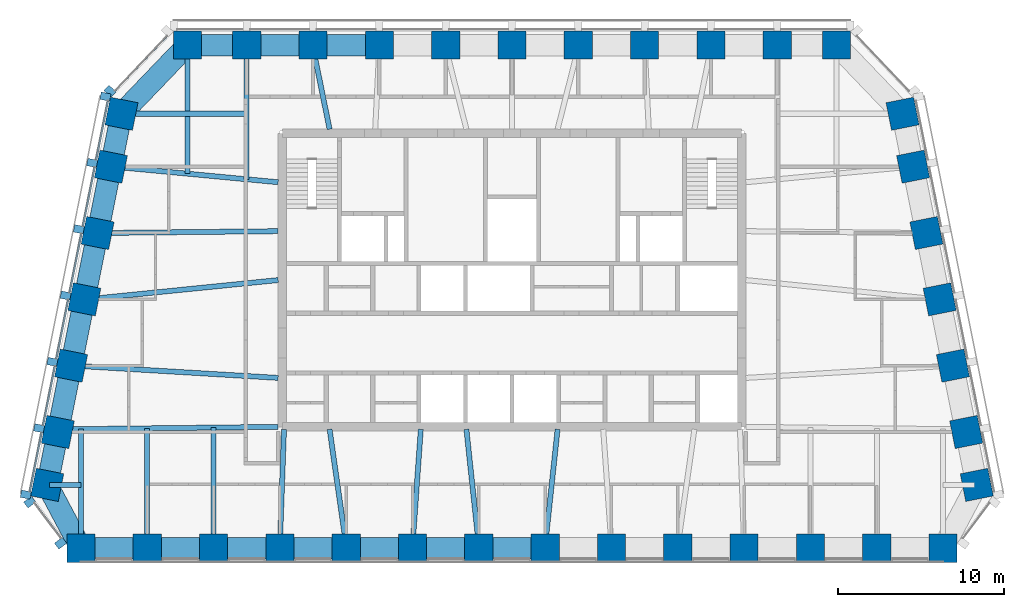
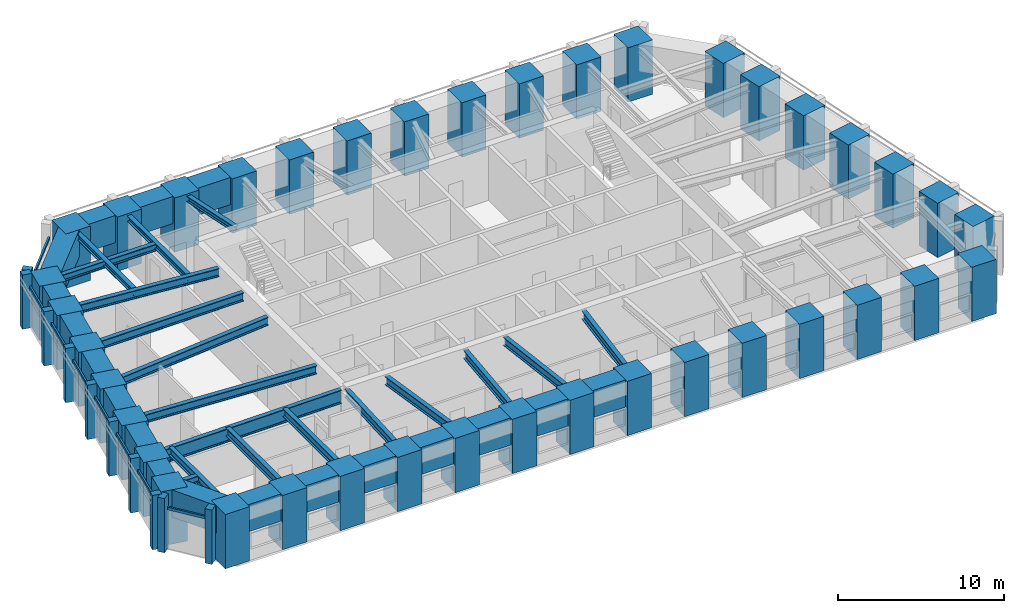
# One storey, part 1 of 10: 39 columns, 36 beams, 18 members, 3 elements without a shape of their own.
"""IFC4 building model written with IfcOpenShell, lengths in metres."""

from ifc_helpers import new_model, si_unit, direction, frame, origin, origin_2d, place, context, subcontext, project, spatial, rectangle, i_section, extrude, material, material_profile, profile_set, type_object, element, aggregate, save


model = new_model("IFC4")

# Units and contexts
model_context = context("Model", 3, precision=1e-05, world=origin(), true_north=direction((0.0, 1.0)))
body_context = subcontext(model_context, "Body", "Model", "MODEL_VIEW")
ifc_project = project(units=[si_unit("LENGTHUNIT", "METRE"), si_unit("AREAUNIT", "SQUARE_METRE"), si_unit("VOLUMEUNIT", "CUBIC_METRE"), si_unit("PLANEANGLEUNIT", "RADIAN"), si_unit("MASSUNIT", "GRAM", prefix="KILO")], contexts=[model_context])

# Site, building, storey
site_placement = place(None, origin())
site = spatial("IfcSite", under=ifc_project, at=site_placement, CompositionType="ELEMENT")
building_placement = place(site_placement, origin())
building = spatial("IfcBuilding", under=site, at=building_placement, Name="Isbrekke Arena Tower", CompositionType="ELEMENT")
storey_placement = place(building_placement, frame((0.0, 0.0, 300.0)))
storey = spatial("IfcBuildingStorey", under=building, at=storey_placement, Name="L70", CompositionType="ELEMENT", Elevation=300.0)

# Columns
ifc_material_1 = material(Name="Concrete B55 (C55/67)", Category="concrete")
ifc_material_profile_1 = material_profile(ifc_material_1, rectangle(XDim=1.699951171875, YDim=1.699951171875, at=origin_2d()), Name="RC 1700x1700")
ifc_profile_set_1 = profile_set([ifc_material_profile_1], Name="Concrete B55 (C55/67)")
column_type = type_object("IfcColumnType", Name="C5 RC 1700 x 1700", PredefinedType="COLUMN", material=ifc_profile_set_1)
for number, where, z_axis, x_axis, name in (
    (1, (-26.0, -1.175048828125, 0.0), (0.0, 0.0, 1.0), (1.0, 0.0, 0.0), "C5 S01"),
    (2, (-22.0, -1.175048828125, 0.0), (0.0, 0.0, 1.0), (1.0, 0.0, 0.0), "C5 S02"),
    (3, (-18.0, -1.175048828125, 0.0), (0.0, 0.0, 1.0), (1.0, 0.0, 0.0), "C5 S03"),
    (4, (-14.0, -1.175048828125, 0.0), (0.0, 0.0, 1.0), (1.0, 0.0, 0.0), "C5 S04"),
    (5, (-10.0, -1.175048828125, 0.0), (0.0, 0.0, 1.0), (1.0, 0.0, 0.0), "C5 S05"),
    (6, (-6.0, -1.175048828125, 0.0), (0.0, 0.0, 1.0), (1.0, 0.0, 0.0), "C5 S06"),
    (7, (-2.0, -1.175048828125, 0.0), (0.0, 0.0, 1.0), (1.0, 0.0, 0.0), "C5 S07"),
    (8, (2.0, -1.175048828125, 0.0), (0.0, 0.0, 1.0), (1.0, 0.0, 0.0), "C5 S08"),
    (9, (6.0, -1.175048828125, 0.0), (0.0, 0.0, 1.0), (1.0, 0.0, 0.0), "C5 S09"),
    (10, (10.0, -1.175048828125, 0.0), (0.0, 0.0, 1.0), (1.0, 0.0, 0.0), "C5 S10"),
    (11, (14.0, -1.175048828125, 0.0), (0.0, 0.0, 1.0), (1.0, 0.0, 0.0), "C5 S11"),
    (12, (18.0, -1.175048828125, 0.0), (0.0, 0.0, 1.0), (1.0, 0.0, 0.0), "C5 S12"),
    (13, (22.0, -1.175048828125, 0.0), (0.0, 0.0, 1.0), (1.0, 0.0, 0.0), "C5 S13"),
    (14, (26.0, -1.175048828125, 0.0), (0.0, 0.0, 1.0), (1.0, 0.0, 0.0), "C5 S14"),
    (15, (28.029296875, 2.647216796875, 0.0), (0.0, 0.0, 1.0), (-0.196116135138, 0.980580675691, 0.0), "C5 E01"),
    (16, (27.39111328125, 5.838134765625, 0.0), (0.0, 0.0, 1.0), (-0.196116135138, 0.980580675691, 0.0), "C5 E02"),
    (17, (26.591064453125, 9.838134765625, 0.0), (0.0, 0.0, 1.0), (-0.196116135138, 0.980580675691, 0.0), "C5 E03"),
    (18, (25.791015625, 13.838134765625, 0.0), (0.0, 0.0, 1.0), (-0.196116135138, 0.980580675691, 0.0), "C5 E04"),
    (19, (24.990966796875, 17.838134765625, 0.0), (0.0, 0.0, 1.0), (-0.196116135138, 0.980580675691, 0.0), "C5 E05"),
    (20, (24.19091796875, 21.838134765625, 0.0), (0.0, 0.0, 1.0), (-0.196116135138, 0.980580675691, 0.0), "C5 E06"),
    (21, (23.552734375, 25.029296875, 0.0), (0.0, 0.0, 1.0), (-0.196116135138, 0.980580675691, 0.0), "C5 E07"),
    (22, (19.574951171875, 29.175048828125, 0.0), (0.0, 0.0, 1.0), (-1.0, 0.0, 0.0), "C5 N01"),
    (23, (16.0, 29.175048828125, 0.0), (0.0, 0.0, 1.0), (-1.0, 0.0, 0.0), "C5 N02"),
    (24, (12.0, 29.175048828125, 0.0), (0.0, 0.0, 1.0), (-1.0, 0.0, 0.0), "C5 N03"),
    (25, (8.0, 29.175048828125, 0.0), (0.0, 0.0, 1.0), (-1.0, 0.0, 0.0), "C5 N04"),
    (26, (4.0, 29.175048828125, 0.0), (0.0, 0.0, 1.0), (-1.0, 0.0, 0.0), "C5 N05"),
    (27, (0.0, 29.175048828125, 0.0), (0.0, 0.0, 1.0), (-1.0, 0.0, 0.0), "C5 N06"),
    (28, (-4.0, 29.175048828125, 0.0), (0.0, 0.0, 1.0), (-1.0, 0.0, 0.0), "C5 N07"),
    (29, (-8.0, 29.175048828125, 0.0), (0.0, 0.0, 1.0), (-1.0, 0.0, 0.0), "C5 N08"),
    (30, (-12.0, 29.175048828125, 0.0), (0.0, 0.0, 1.0), (-1.0, 0.0, 0.0), "C5 N09"),
    (31, (-16.0, 29.175048828125, 0.0), (0.0, 0.0, 1.0), (-1.0, 0.0, 0.0), "C5 N10"),
    (32, (-19.574951171875, 29.175048828125, 0.0), (0.0, 0.0, 1.0), (-1.0, 0.0, 0.0), "C5 N11"),
    (33, (-23.552734375, 25.029296875, 0.0), (0.0, 0.0, 1.0), (-0.196116135138, -0.980580675691, 0.0), "C5 W01"),
    (34, (-24.19091796875, 21.838134765625, 0.0), (0.0, 0.0, 1.0), (-0.196116135138, -0.980580675691, 0.0), "C5 W02"),
    (35, (-24.990966796875, 17.838134765625, 0.0), (0.0, 0.0, 1.0), (-0.196116135138, -0.980580675691, 0.0), "C5 W03"),
    (36, (-25.791015625, 13.838134765625, 0.0), (0.0, 0.0, 1.0), (-0.196116135138, -0.980580675691, 0.0), "C5 W04"),
    (37, (-26.591064453125, 9.838134765625, 0.0), (0.0, 0.0, 1.0), (-0.196116135138, -0.980580675691, 0.0), "C5 W05"),
    (38, (-27.39111328125, 5.838134765625, 0.0), (0.0, 0.0, 1.0), (-0.196116135138, -0.980580675691, 0.0), "C5 W06"),
    (39, (-28.029296875, 2.647216796875, 0.0), (0.0, 0.0, 1.0), (-0.196116135138, -0.980580675691, 0.0), "C5 W07"),
):
    element("IfcColumn", number, at=place(storey_placement, frame(where, z_axis=z_axis, x_axis=x_axis)), inside=storey, type_object=column_type, Name=name, PredefinedType="COLUMN", context=body_context, shape_type="SweptSolid", body=[
        extrude(rectangle(XDim=1.699951171875, YDim=1.699951171875, at=origin_2d()), origin(), (0.0, 0.0, 1.0), 4.0),
    ])

# Beams
ifc_material_2 = material(Name="Steel S355", Category="steel")
ifc_material_profile_2 = material_profile(ifc_material_2, i_section(OverallWidth=0.304931640625, OverallDepth=0.6201171875, WebThickness=0.02099609375, FlangeThickness=0.0400390625, FilletRadius=0.027099609375, at=origin_2d()), Name="HEM 600")
ifc_profile_set_2 = profile_set([ifc_material_profile_2], Name="Steel S355")
beam_type_1 = type_object("IfcBeamType", Name="B4 HEM 600", PredefinedType="BEAM", material=ifc_profile_set_2)
beam_1_placement = place(storey_placement, frame((-26.0, -1.02490234375, 3.5400390625), z_axis=(0.0, 1.0, 0.0), x_axis=(-1.0, 0.0, 0.0)))
element("IfcBeam", 40, at=beam_1_placement, inside=storey, type_object=beam_type_1, Name="B4 beam C-S01 L70", PredefinedType="BEAM", context=body_context, shape_type="SweptSolid", body=[
    extrude(i_section(OverallWidth=0.304931640625, OverallDepth=0.6201171875, WebThickness=0.02099609375, FlangeThickness=0.0400390625, FilletRadius=0.027099609375, at=origin_2d()), origin(), (0.0, 0.0, 1.0), 7.04052734375),
])
beam_2_placement = place(storey_placement, frame((-22.0, -1.02490234375, 3.5400390625), z_axis=(0.0, 1.0, 0.0), x_axis=(-1.0, 0.0, 0.0)))
element("IfcBeam", 41, at=beam_2_placement, inside=storey, type_object=beam_type_1, Name="B4 beam C-S02 L70", PredefinedType="BEAM", context=body_context, shape_type="SweptSolid", body=[
    extrude(i_section(OverallWidth=0.304931640625, OverallDepth=0.6201171875, WebThickness=0.02099609375, FlangeThickness=0.0400390625, FilletRadius=0.027099609375, at=origin_2d()), origin(), (0.0, 0.0, 1.0), 7.085693359375),
])
beam_3_placement = place(storey_placement, frame((-18.0, -1.02490234375, 3.5400390625), z_axis=(0.0, 1.0, 0.0), x_axis=(-1.0, 0.0, 0.0)))
element("IfcBeam", 42, at=beam_3_placement, inside=storey, type_object=beam_type_1, Name="B4 beam C-S03 L70", PredefinedType="BEAM", context=body_context, shape_type="SweptSolid", body=[
    extrude(i_section(OverallWidth=0.304931640625, OverallDepth=0.6201171875, WebThickness=0.02099609375, FlangeThickness=0.0400390625, FilletRadius=0.027099609375, at=origin_2d()), origin(), (0.0, 0.0, 1.0), 7.130859375),
])
beam_4_placement = place(storey_placement, frame((-13.999755859375, -1.01953125, 3.5400390625), z_axis=(0.035557633654, 0.999367627397, 0.0), x_axis=(-0.999367627397, 0.035557633654, 0.0)))
element("IfcBeam", 43, at=beam_4_placement, inside=storey, type_object=beam_type_1, Name="B4 beam C-S04 L70", PredefinedType="BEAM", context=body_context, shape_type="SweptSolid", body=[
    extrude(i_section(OverallWidth=0.304931640625, OverallDepth=0.6201171875, WebThickness=0.02099609375, FlangeThickness=0.0400390625, FilletRadius=0.027099609375, at=origin_2d()), origin(), (0.0, 0.0, 1.0), 7.02392578125),
])
beam_5_placement = place(storey_placement, frame((-10.0029296875, -1.003662109375, 3.5400390625), z_axis=(-0.140943016954, 0.990017709928, 0.0), x_axis=(-0.990017709928, -0.140943016954, 0.0)))
element("IfcBeam", 44, at=beam_5_placement, inside=storey, type_object=beam_type_1, Name="B4 beam C-S05 L70", PredefinedType="BEAM", context=body_context, shape_type="SweptSolid", body=[
    extrude(i_section(OverallWidth=0.304931640625, OverallDepth=0.6201171875, WebThickness=0.02099609375, FlangeThickness=0.0400390625, FilletRadius=0.027099609375, at=origin_2d()), origin(), (0.0, 0.0, 1.0), 7.07421875),
])
beam_6_placement = place(storey_placement, frame((-5.999267578125, -1.01416015625, 3.5400390625), z_axis=(0.071000313941, 0.997476293162, 0.0), x_axis=(-0.997476293162, 0.071000313941, 0.0)))
element("IfcBeam", 45, at=beam_6_placement, inside=storey, type_object=beam_type_1, Name="B4 beam C-S06 L70", PredefinedType="BEAM", context=body_context, shape_type="SweptSolid", body=[
    extrude(i_section(OverallWidth=0.304931640625, OverallDepth=0.6201171875, WebThickness=0.02099609375, FlangeThickness=0.0400390625, FilletRadius=0.027099609375, at=origin_2d()), origin(), (0.0, 0.0, 1.0), 7.031982421875),
])
for number, where, z_axis, x_axis, name in (
    (46, (-2.001708984375, -1.0087890625, 3.5400390625), (-0.106161329105, 0.994348918742, 0.0), (-0.994348918742, -0.106161329105, 0.0), "B4 beam C-S07 L70"),
    (47, (2.001708984375, -1.0087890625, 3.5400390625), (0.106161329105, 0.994348918742, 0.0), (-0.994348918742, 0.106161329105, 0.0), "B4 beam C-S08 L70"),
):
    element("IfcBeam", number, at=place(storey_placement, frame(where, z_axis=z_axis, x_axis=x_axis)), inside=storey, type_object=beam_type_1, Name=name, PredefinedType="BEAM", context=body_context, shape_type="SweptSolid", body=[
        extrude(i_section(OverallWidth=0.304931640625, OverallDepth=0.6201171875, WebThickness=0.02099609375, FlangeThickness=0.0400390625, FilletRadius=0.027099609375, at=origin_2d()), origin(), (0.0, 0.0, 1.0), 7.048583984375),
    ])
beam_7_placement = place(storey_placement, frame((-24.02685546875, 21.8369140625, 3.5400390625), z_axis=(0.995574576627, -0.093974796485, 0.0), x_axis=(0.093974796485, 0.995574576627, 0.0)))
element("IfcBeam", 48, at=beam_7_placement, inside=storey, type_object=beam_type_1, Name="B4 beam E-W02 L70", PredefinedType="BEAM", context=body_context, shape_type="SweptSolid", body=[
    extrude(i_section(OverallWidth=0.304931640625, OverallDepth=0.6201171875, WebThickness=0.02099609375, FlangeThickness=0.0400390625, FilletRadius=0.027099609375, at=origin_2d()), origin(), (0.0, 0.0, 1.0), 9.970947265625),
])
beam_8_placement = place(storey_placement, frame((-24.83935546875, 17.838134765625, 3.5400390625), z_axis=(0.999945800258, 0.010411366203, 0.0), x_axis=(-0.010411366203, 0.999945800258, 0.0)))
element("IfcBeam", 49, at=beam_8_placement, inside=storey, type_object=beam_type_1, Name="B4 beam E-W03 L70", PredefinedType="BEAM", context=body_context, shape_type="SweptSolid", body=[
    extrude(i_section(OverallWidth=0.304931640625, OverallDepth=0.6201171875, WebThickness=0.02099609375, FlangeThickness=0.0400390625, FilletRadius=0.027099609375, at=origin_2d()), origin(), (0.0, 0.0, 1.0), 10.73974609375),
])
beam_9_placement = place(storey_placement, frame((-25.625732421875, 13.83984375, 3.5400390625), z_axis=(0.994972081505, 0.100152668587, 0.0), x_axis=(-0.100152668587, 0.994972081505, 0.0)))
element("IfcBeam", 50, at=beam_9_placement, inside=storey, type_object=beam_type_1, Name="B4 beam E-W04 L70", PredefinedType="BEAM", context=body_context, shape_type="SweptSolid", body=[
    extrude(i_section(OverallWidth=0.304931640625, OverallDepth=0.6201171875, WebThickness=0.02099609375, FlangeThickness=0.0400390625, FilletRadius=0.027099609375, at=origin_2d()), origin(), (0.0, 0.0, 1.0), 11.583984375),
])
beam_10_placement = place(storey_placement, frame((-26.431884765625, 9.837646484375, 3.5400390625), z_axis=(0.998216240514, -0.059702070095, 0.0), x_axis=(0.059702070095, 0.998216240514, 0.0)))
element("IfcBeam", 51, at=beam_10_placement, inside=storey, type_object=beam_type_1, Name="B4 beam E-W05 L70", PredefinedType="BEAM", context=body_context, shape_type="SweptSolid", body=[
    extrude(i_section(OverallWidth=0.304931640625, OverallDepth=0.6201171875, WebThickness=0.02099609375, FlangeThickness=0.0400390625, FilletRadius=0.027099609375, at=origin_2d()), origin(), (0.0, 0.0, 1.0), 12.353759765625),
])
ifc_material_3 = material(Name="Steel S355", Category="steel")
ifc_material_profile_3 = material_profile(ifc_material_3, i_section(OverallWidth=0.305908203125, OverallDepth=0.52392578125, WebThickness=0.02099609375, FlangeThickness=0.0400390625, FilletRadius=0.027099609375, at=origin_2d()), Name="HEM 500")
ifc_profile_set_3 = profile_set([ifc_material_profile_3], Name="Steel S355")
beam_type_2 = type_object("IfcBeamType", Name="B5 HEM 500", PredefinedType="BEAM", material=ifc_profile_set_3)
beam_11_placement = place(storey_placement, frame((-27.879150390625, 2.647216796875, 3.587890625), z_axis=(1.0, 0.0, 0.0), x_axis=(0.0, 1.0, 0.0)))
element("IfcBeam", 52, at=beam_11_placement, inside=storey, type_object=beam_type_2, Name="B5 beam E-W07 L70", PredefinedType="BEAM", context=body_context, shape_type="SweptSolid", body=[
    extrude(i_section(OverallWidth=0.305908203125, OverallDepth=0.52392578125, WebThickness=0.02099609375, FlangeThickness=0.0400390625, FilletRadius=0.027099609375, at=origin_2d()), origin(), (0.0, 0.0, 1.0), 1.879150390625),
])
beam_12_placement = place(storey_placement, frame((-23.40283203125, 25.029296875, 3.587890625), z_axis=(1.0, 0.0, 0.0), x_axis=(0.0, 1.0, 0.0)))
element("IfcBeam", 53, at=beam_12_placement, inside=storey, type_object=beam_type_2, Name="B5 beam E-W01 L70", PredefinedType="BEAM", context=body_context, shape_type="SweptSolid", body=[
    extrude(i_section(OverallWidth=0.305908203125, OverallDepth=0.52392578125, WebThickness=0.02099609375, FlangeThickness=0.0400390625, FilletRadius=0.027099609375, at=origin_2d()), origin(), (0.0, 0.0, 1.0), 7.40283203125),
])
ifc_material_4 = material(Name="Steel S355", Category="steel")
ifc_material_profile_4 = material_profile(ifc_material_4, i_section(OverallWidth=0.306884765625, OverallDepth=0.431884765625, WebThickness=0.02099609375, FlangeThickness=0.0400390625, FilletRadius=0.027099609375, at=origin_2d()), Name="HEM 400")
ifc_profile_set_4 = profile_set([ifc_material_profile_4], Name="Steel S355")
beam_type_3 = type_object("IfcBeamType", Name="B6 HEM 400", PredefinedType="BEAM", material=ifc_profile_set_4)
beam_13_placement = place(storey_placement, frame((-16.0, 29.02490234375, 3.634033203125), z_axis=(0.0, -1.0, 0.0), x_axis=(1.0, 0.0, 0.0)))
element("IfcBeam", 54, at=beam_13_placement, inside=storey, type_object=beam_type_3, Name="B6 beam N-N10 L70", PredefinedType="BEAM", context=body_context, shape_type="SweptSolid", body=[
    extrude(i_section(OverallWidth=0.306884765625, OverallDepth=0.431884765625, WebThickness=0.02099609375, FlangeThickness=0.0400390625, FilletRadius=0.027099609375, at=origin_2d()), origin(), (0.0, 0.0, 1.0), 7.945556640625),
])
beam_14_placement = place(storey_placement, frame((-19.574951171875, 29.02490234375, 3.634033203125), z_axis=(0.0, -1.0, 0.0), x_axis=(1.0, 0.0, 0.0)))
element("IfcBeam", 55, at=beam_14_placement, inside=storey, type_object=beam_type_3, Name="B6 beam N-N11 L70", PredefinedType="BEAM", context=body_context, shape_type="SweptSolid", body=[
    extrude(i_section(OverallWidth=0.306884765625, OverallDepth=0.431884765625, WebThickness=0.02099609375, FlangeThickness=0.0400390625, FilletRadius=0.027099609375, at=origin_2d()), origin(), (0.0, 0.0, 1.0), 7.608154296875),
])
beam_15_placement = place(storey_placement, frame((-11.993896484375, 28.9951171875, 3.634033203125), z_axis=(0.198982177337, -0.980003108721, 0.0), x_axis=(0.980003108721, 0.198982177337, 0.0)))
element("IfcBeam", 56, at=beam_15_placement, inside=storey, type_object=beam_type_3, Name="B6 beam N-N09 L70", PredefinedType="BEAM", context=body_context, shape_type="SweptSolid", body=[
    extrude(i_section(OverallWidth=0.306884765625, OverallDepth=0.431884765625, WebThickness=0.02099609375, FlangeThickness=0.0400390625, FilletRadius=0.027099609375, at=origin_2d()), origin(), (0.0, 0.0, 1.0), 4.994873046875),
])

# Curtain wall, member
ifc_material_5 = material(Name="Glazed aluminium curtain wall", Category="aluminium")
curtain_wall_type = type_object("IfcCurtainWallType", Name="CWT TOWER CURTAIN WALL TOP ZONE", PredefinedType="USERDEFINED", material=ifc_material_5)
curtain_wall_1_placement = place(storey_placement, origin())
curtain_wall_1 = element("IfcCurtainWall", 57, at=curtain_wall_1_placement, inside=storey, type_object=curtain_wall_type, Name="CWT curtain wall L70-NW", ObjectType="TOWER CURTAIN WALL TOP ZONE", PredefinedType="USERDEFINED")
ifc_material_6 = material(Name="Copper-clad aluminium mullion", Category="aluminium")
ifc_material_profile_5 = material_profile(ifc_material_6, rectangle(XDim=0.449951171875, YDim=0.60009765625, at=origin_2d()), Name="PIER 450X600")
ifc_profile_set_5 = profile_set([ifc_material_profile_5], Name="Copper-clad aluminium mullion")
member_type_1 = type_object("IfcMemberType", Name="CWT-M PIER MULLION 450 x 600", PredefinedType="MULLION", material=ifc_profile_set_5)
member_1_placement = place(storey_placement, frame((-24.243896484375, 26.389404296875, 0.0), z_axis=(0.0, 0.0, 1.0), x_axis=(-0.68874946192, -0.72499943359, 0.0)))
member_1 = element("IfcMember", 58, at=member_1_placement, type_object=member_type_1, Name="CWT-M mullion 2", PredefinedType="MULLION", context=body_context, shape_type="SweptSolid", body=[
    extrude(rectangle(XDim=0.449951171875, YDim=0.60009765625, at=origin_2d()), origin(), (0.0, 0.0, 1.0), 4.0),
])

# Curtain wall, members
curtain_wall_2_placement = place(storey_placement, origin())
curtain_wall_2 = element("IfcCurtainWall", 59, at=curtain_wall_2_placement, inside=storey, type_object=curtain_wall_type, Name="CWT curtain wall L70-W", ObjectType="TOWER CURTAIN WALL TOP ZONE", PredefinedType="USERDEFINED")
member_2_placement = place(storey_placement, frame((-24.518798828125, 26.063720703125, 0.0), z_axis=(0.0, 0.0, 1.0), x_axis=(-0.196116135138, -0.980580675691, 0.0)))
member_2 = element("IfcMember", 60, at=member_2_placement, type_object=member_type_1, Name="CWT-M mullion 1", PredefinedType="MULLION", context=body_context, shape_type="SweptSolid", body=[
    extrude(rectangle(XDim=0.449951171875, YDim=0.60009765625, at=origin_2d()), origin(), (0.0, 0.0, 1.0), 4.0),
])
member_3_placement = place(storey_placement, frame((-25.318603515625, 22.063720703125, 0.0), z_axis=(0.0, 0.0, 1.0), x_axis=(-0.196116135138, -0.980580675691, 0.0)))
member_3 = element("IfcMember", 61, at=member_3_placement, type_object=member_type_1, Name="CWT-M mullion 2", PredefinedType="MULLION", context=body_context, shape_type="SweptSolid", body=[
    extrude(rectangle(XDim=0.449951171875, YDim=0.60009765625, at=origin_2d()), origin(), (0.0, 0.0, 1.0), 4.0),
])
member_4_placement = place(storey_placement, frame((-26.11865234375, 18.063720703125, 0.0), z_axis=(0.0, 0.0, 1.0), x_axis=(-0.196116135138, -0.980580675691, 0.0)))
member_4 = element("IfcMember", 62, at=member_4_placement, type_object=member_type_1, Name="CWT-M mullion 3", PredefinedType="MULLION", context=body_context, shape_type="SweptSolid", body=[
    extrude(rectangle(XDim=0.449951171875, YDim=0.60009765625, at=origin_2d()), origin(), (0.0, 0.0, 1.0), 4.0),
])
member_5_placement = place(storey_placement, frame((-26.918701171875, 14.063720703125, 0.0), z_axis=(0.0, 0.0, 1.0), x_axis=(-0.196116135138, -0.980580675691, 0.0)))
member_5 = element("IfcMember", 63, at=member_5_placement, type_object=member_type_1, Name="CWT-M mullion 4", PredefinedType="MULLION", context=body_context, shape_type="SweptSolid", body=[
    extrude(rectangle(XDim=0.449951171875, YDim=0.60009765625, at=origin_2d()), origin(), (0.0, 0.0, 1.0), 4.0),
])
member_6_placement = place(storey_placement, frame((-27.71875, 10.063720703125, 0.0), z_axis=(0.0, 0.0, 1.0), x_axis=(-0.196116135138, -0.980580675691, 0.0)))
member_6 = element("IfcMember", 64, at=member_6_placement, type_object=member_type_1, Name="CWT-M mullion 5", PredefinedType="MULLION", context=body_context, shape_type="SweptSolid", body=[
    extrude(rectangle(XDim=0.449951171875, YDim=0.60009765625, at=origin_2d()), origin(), (0.0, 0.0, 1.0), 4.0),
])
member_7_placement = place(storey_placement, frame((-28.518798828125, 6.063720703125, 0.0), z_axis=(0.0, 0.0, 1.0), x_axis=(-0.196116135138, -0.980580675691, 0.0)))
member_7 = element("IfcMember", 65, at=member_7_placement, type_object=member_type_1, Name="CWT-M mullion 6", PredefinedType="MULLION", context=body_context, shape_type="SweptSolid", body=[
    extrude(rectangle(XDim=0.449951171875, YDim=0.60009765625, at=origin_2d()), origin(), (0.0, 0.0, 1.0), 4.0),
])
member_8_placement = place(storey_placement, frame((-29.318603515625, 2.063720703125, 0.0), z_axis=(0.0, 0.0, 1.0), x_axis=(-0.196116135138, -0.980580675691, 0.0)))
member_8 = element("IfcMember", 66, at=member_8_placement, type_object=member_type_1, Name="CWT-M mullion 7", PredefinedType="MULLION", context=body_context, shape_type="SweptSolid", body=[
    extrude(rectangle(XDim=0.449951171875, YDim=0.60009765625, at=origin_2d()), origin(), (0.0, 0.0, 1.0), 4.0),
])

curtain_wall_3_placement = place(storey_placement, origin())
curtain_wall_3 = element("IfcCurtainWall", 67, at=curtain_wall_3_placement, inside=storey, type_object=curtain_wall_type, Name="CWT curtain wall L70-WS", ObjectType="TOWER CURTAIN WALL TOP ZONE", PredefinedType="USERDEFINED")
member_9_placement = place(storey_placement, frame((-29.08447265625, 1.612548828125, 0.0), z_axis=(0.0, 0.0, 1.0), x_axis=(0.600000000002, -0.799999999998, 0.0)))
member_9 = element("IfcMember", 68, at=member_9_placement, type_object=member_type_1, Name="CWT-M mullion 1", PredefinedType="MULLION", context=body_context, shape_type="SweptSolid", body=[
    extrude(rectangle(XDim=0.449951171875, YDim=0.60009765625, at=origin_2d()), origin(), (0.0, 0.0, 1.0), 4.0),
])
member_10_placement = place(storey_placement, frame((-27.222412109375, -0.8701171875, 0.0), z_axis=(0.0, 0.0, 1.0), x_axis=(0.600000000002, -0.799999999998, 0.0)))
member_10 = element("IfcMember", 69, at=member_10_placement, type_object=member_type_1, Name="CWT-M mullion 2", PredefinedType="MULLION", context=body_context, shape_type="SweptSolid", body=[
    extrude(rectangle(XDim=0.449951171875, YDim=0.60009765625, at=origin_2d()), origin(), (0.0, 0.0, 1.0), 4.0),
])

# Member
ifc_material_7 = material(Name="Aluminium transom", Category="aluminium")
ifc_material_profile_6 = material_profile(ifc_material_7, rectangle(XDim=0.1201171875, YDim=0.199951171875, at=origin_2d()), Name="TRANSOM 120X200")
ifc_profile_set_6 = profile_set([ifc_material_profile_6], Name="Aluminium transom")
member_type_2 = type_object("IfcMemberType", Name="CWT-T TRANSOM 120 x 200", PredefinedType="USERDEFINED", material=ifc_profile_set_6)
member_11_placement = place(storey_placement, frame((-20.80517578125, 29.71875, 3.0), z_axis=(-0.688739606035, -0.725008796552, 0.0), x_axis=(0.725008796552, -0.688739606035, 0.0)))
member_11 = element("IfcMember", 70, at=member_11_placement, type_object=member_type_2, Name="CWT-T transom 1", ObjectType="TRANSOM", PredefinedType="USERDEFINED", context=body_context, shape_type="SweptSolid", body=[
    extrude(rectangle(XDim=0.1201171875, YDim=0.199951171875, at=origin_2d()), origin(), (0.0, 0.0, 1.0), 4.55712890625),
])

aggregate(curtain_wall_1, [member_1, member_11])

member_12_placement = place(storey_placement, frame((-24.36669921875, 25.803955078125, 3.0), z_axis=(-0.196090262229, -0.980585849918, 0.0), x_axis=(0.980585849918, -0.196090262229, 0.0)))
member_12 = element("IfcMember", 71, at=member_12_placement, type_object=member_type_2, Name="CWT-T transom 1", ObjectType="TRANSOM", PredefinedType="USERDEFINED", context=body_context, shape_type="SweptSolid", body=[
    extrude(rectangle(XDim=0.1201171875, YDim=0.199951171875, at=origin_2d()), origin(), (0.0, 0.0, 1.0), 3.62939453125),
])

member_13_placement = place(storey_placement, frame((-25.166748046875, 21.803955078125, 3.0), z_axis=(-0.196090262229, -0.980585849918, 0.0), x_axis=(0.980585849918, -0.196090262229, 0.0)))
member_13 = element("IfcMember", 72, at=member_13_placement, type_object=member_type_2, Name="CWT-T transom 2", ObjectType="TRANSOM", PredefinedType="USERDEFINED", context=body_context, shape_type="SweptSolid", body=[
    extrude(rectangle(XDim=0.1201171875, YDim=0.199951171875, at=origin_2d()), origin(), (0.0, 0.0, 1.0), 3.62939453125),
])

member_14_placement = place(storey_placement, frame((-25.966796875, 17.803955078125, 3.0), z_axis=(-0.196090262229, -0.980585849918, 0.0), x_axis=(0.980585849918, -0.196090262229, 0.0)))
member_14 = element("IfcMember", 73, at=member_14_placement, type_object=member_type_2, Name="CWT-T transom 3", ObjectType="TRANSOM", PredefinedType="USERDEFINED", context=body_context, shape_type="SweptSolid", body=[
    extrude(rectangle(XDim=0.1201171875, YDim=0.199951171875, at=origin_2d()), origin(), (0.0, 0.0, 1.0), 3.62939453125),
])

member_15_placement = place(storey_placement, frame((-26.7666015625, 13.803955078125, 3.0), z_axis=(-0.196154943734, -0.980572913173, 0.0), x_axis=(0.980572913173, -0.196154943734, 0.0)))
member_15 = element("IfcMember", 74, at=member_15_placement, type_object=member_type_2, Name="CWT-T transom 4", ObjectType="TRANSOM", PredefinedType="USERDEFINED", context=body_context, shape_type="SweptSolid", body=[
    extrude(rectangle(XDim=0.1201171875, YDim=0.199951171875, at=origin_2d()), origin(), (0.0, 0.0, 1.0), 3.62939453125),
])

member_16_placement = place(storey_placement, frame((-27.566650390625, 9.803955078125, 3.0), z_axis=(-0.196154943734, -0.980572913173, 0.0), x_axis=(0.980572913173, -0.196154943734, 0.0)))
member_16 = element("IfcMember", 75, at=member_16_placement, type_object=member_type_2, Name="CWT-T transom 5", ObjectType="TRANSOM", PredefinedType="USERDEFINED", context=body_context, shape_type="SweptSolid", body=[
    extrude(rectangle(XDim=0.1201171875, YDim=0.199951171875, at=origin_2d()), origin(), (0.0, 0.0, 1.0), 3.62939453125),
])

member_17_placement = place(storey_placement, frame((-28.36669921875, 5.803955078125, 3.0), z_axis=(-0.196090262229, -0.980585849918, 0.0), x_axis=(0.980585849918, -0.196090262229, 0.0)))
member_17 = element("IfcMember", 76, at=member_17_placement, type_object=member_type_2, Name="CWT-T transom 6", ObjectType="TRANSOM", PredefinedType="USERDEFINED", context=body_context, shape_type="SweptSolid", body=[
    extrude(rectangle(XDim=0.1201171875, YDim=0.199951171875, at=origin_2d()), origin(), (0.0, 0.0, 1.0), 3.62939453125),
])

aggregate(curtain_wall_2, [member_2, member_3, member_4, member_5, member_6, member_7, member_8, member_12, member_13, member_14, member_15, member_16, member_17])

member_18_placement = place(storey_placement, frame((-28.78955078125, 1.552734375, 3.0), z_axis=(0.6, -0.8, 0.0), x_axis=(0.8, 0.6, 0.0)))
member_18 = element("IfcMember", 77, at=member_18_placement, type_object=member_type_2, Name="CWT-T transom 1", ObjectType="TRANSOM", PredefinedType="USERDEFINED", context=body_context, shape_type="SweptSolid", body=[
    extrude(rectangle(XDim=0.1201171875, YDim=0.199951171875, at=origin_2d()), origin(), (0.0, 0.0, 1.0), 2.65380859375),
])

aggregate(curtain_wall_3, [member_9, member_10, member_18])

# Beams
ifc_material_8 = material(Name="Steel S355", Category="steel")
ifc_material_profile_7 = material_profile(ifc_material_8, i_section(OverallWidth=0.302001953125, OverallDepth=1.008056640625, WebThickness=0.02099609375, FlangeThickness=0.0400390625, FilletRadius=0.030029296875, at=origin_2d()), Name="HEM 1000")
ifc_profile_set_7 = profile_set([ifc_material_profile_7], Name="Steel S355")
beam_type_4 = type_object("IfcBeamType", Name="G2 HEM 1000", PredefinedType="BEAM", material=ifc_profile_set_7)
beam_16_placement = place(storey_placement, frame((-14.10009765625, 6.14990234375, 3.345947265625), z_axis=(-0.999936387749, -0.011279204565, 0.0), x_axis=(0.011279204565, -0.999936387749, 0.0)))
element("IfcBeam", 78, at=beam_16_placement, inside=storey, type_object=beam_type_4, Name="G2 beam G2-W L70", PredefinedType="BEAM", context=body_context, shape_type="SweptSolid", body=[
    extrude(i_section(OverallWidth=0.302001953125, OverallDepth=1.008056640625, WebThickness=0.02099609375, FlangeThickness=0.0400390625, FilletRadius=0.030029296875, at=origin_2d()), origin(), (0.0, 0.0, 1.0), 13.2900390625),
])
ifc_material_9 = material(Name="Concrete B55 (C55/67)", Category="concrete")
ifc_material_profile_8 = material_profile(ifc_material_9, rectangle(XDim=1.300048828125, YDim=2.0, at=origin_2d()), Name="RC 1300x2000")
ifc_profile_set_8 = profile_set([ifc_material_profile_8], Name="Concrete B55 (C55/67)")
beam_type_5 = type_object("IfcBeamType", Name="SB4 RC 1300 x 2000", PredefinedType="SPANDREL", material=ifc_profile_set_8)
for number, where, z_axis, x_axis, name in (
    (79, (-25.85009765625, -1.175048828125, 3.0), (1.0, 0.0, 0.0), (0.0, 1.0, 0.0), "SB4 spandrel S01-S02 L70"),
    (80, (-21.85009765625, -1.175048828125, 3.0), (1.0, 0.0, 0.0), (0.0, 1.0, 0.0), "SB4 spandrel S02-S03 L70"),
    (81, (-17.85009765625, -1.175048828125, 3.0), (1.0, 0.0, 0.0), (0.0, 1.0, 0.0), "SB4 spandrel S03-S04 L70"),
    (82, (-13.85009765625, -1.175048828125, 3.0), (1.0, 0.0, 0.0), (0.0, 1.0, 0.0), "SB4 spandrel S04-S05 L70"),
    (83, (-9.85009765625, -1.175048828125, 3.0), (1.0, 0.0, 0.0), (0.0, 1.0, 0.0), "SB4 spandrel S05-S06 L70"),
    (84, (-5.85009765625, -1.175048828125, 3.0), (1.0, 0.0, 0.0), (0.0, 1.0, 0.0), "SB4 spandrel S06-S07 L70"),
    (85, (-1.85009765625, -1.175048828125, 3.0), (1.0, 0.0, 0.0), (0.0, 1.0, 0.0), "SB4 spandrel S07-S08 L70"),
    (86, (-8.14990234375, 29.175048828125, 3.0), (-1.0, 0.0, 0.0), (0.0, -1.0, 0.0), "SB4 spandrel N08-N09 L70"),
    (87, (-12.14990234375, 29.175048828125, 3.0), (-1.0, 0.0, 0.0), (0.0, -1.0, 0.0), "SB4 spandrel N09-N10 L70"),
):
    element("IfcBeam", number, at=place(storey_placement, frame(where, z_axis=z_axis, x_axis=x_axis)), inside=storey, type_object=beam_type_5, Name=name, PredefinedType="SPANDREL", context=body_context, shape_type="SweptSolid", body=[
        extrude(rectangle(XDim=1.300048828125, YDim=2.0, at=origin_2d()), origin(), (0.0, 0.0, 1.0), 3.7001953125),
    ])
beam_17_placement = place(storey_placement, frame((-16.14990234375, 29.175048828125, 3.0), z_axis=(-1.0, 0.0, 0.0), x_axis=(0.0, -1.0, 0.0)))
element("IfcBeam", 88, at=beam_17_placement, inside=storey, type_object=beam_type_5, Name="SB4 spandrel N10-N11 L70", PredefinedType="SPANDREL", context=body_context, shape_type="SweptSolid", body=[
    extrude(rectangle(XDim=1.300048828125, YDim=2.0, at=origin_2d()), origin(), (0.0, 0.0, 1.0), 3.275146484375),
])
beam_18_placement = place(storey_placement, frame((-19.678955078125, 29.066650390625, 3.0), z_axis=(-0.692339547635, -0.721571861134, 0.0), x_axis=(0.721571861134, -0.692339547635, 0.0)))
element("IfcBeam", 89, at=beam_18_placement, inside=storey, type_object=beam_type_5, Name="SB4 spandrel N11-W01 L70", PredefinedType="SPANDREL", context=body_context, shape_type="SweptSolid", body=[
    extrude(rectangle(XDim=1.300048828125, YDim=2.0, at=origin_2d()), origin(), (0.0, 0.0, 1.0), 5.4453125),
])
beam_19_placement = place(storey_placement, frame((-23.582275390625, 24.882080078125, 3.0), z_axis=(-0.196116135138, -0.980580675691, 0.0), x_axis=(0.980580675691, -0.196116135138, 0.0)))
element("IfcBeam", 90, at=beam_19_placement, inside=storey, type_object=beam_type_5, Name="SB4 spandrel W01-W02 L70", PredefinedType="SPANDREL", context=body_context, shape_type="SweptSolid", body=[
    extrude(rectangle(XDim=1.300048828125, YDim=2.0, at=origin_2d()), origin(), (0.0, 0.0, 1.0), 2.9541015625),
])
for number, where, z_axis, x_axis, name in (
    (91, (-24.220458984375, 21.691162109375, 3.0), (-0.196128558387, -0.980578190959, 0.0), (0.980578190959, -0.196128558387, 0.0), "SB4 spandrel W02-W03 L70"),
    (92, (-25.0205078125, 17.691162109375, 3.0), (-0.196128558387, -0.980578190959, 0.0), (0.980578190959, -0.196128558387, 0.0), "SB4 spandrel W03-W04 L70"),
):
    element("IfcBeam", number, at=place(storey_placement, frame(where, z_axis=z_axis, x_axis=x_axis)), inside=storey, type_object=beam_type_5, Name=name, PredefinedType="SPANDREL", context=body_context, shape_type="SweptSolid", body=[
        extrude(rectangle(XDim=1.300048828125, YDim=2.0, at=origin_2d()), origin(), (0.0, 0.0, 1.0), 3.779296875),
    ])
beam_20_placement = place(storey_placement, frame((-25.820556640625, 13.691162109375, 3.0), z_axis=(-0.1960664412, -0.980590613169, 0.0), x_axis=(0.980590613169, -0.1960664412, 0.0)))
element("IfcBeam", 93, at=beam_20_placement, inside=storey, type_object=beam_type_5, Name="SB4 spandrel W04-W05 L70", PredefinedType="SPANDREL", context=body_context, shape_type="SweptSolid", body=[
    extrude(rectangle(XDim=1.300048828125, YDim=2.0, at=origin_2d()), origin(), (0.0, 0.0, 1.0), 3.779052734375),
])
beam_21_placement = place(storey_placement, frame((-26.620361328125, 9.691162109375, 3.0), z_axis=(-0.196128558387, -0.980578190959, 0.0), x_axis=(0.980578190959, -0.196128558387, 0.0)))
element("IfcBeam", 94, at=beam_21_placement, inside=storey, type_object=beam_type_5, Name="SB4 spandrel W05-W06 L70", PredefinedType="SPANDREL", context=body_context, shape_type="SweptSolid", body=[
    extrude(rectangle(XDim=1.300048828125, YDim=2.0, at=origin_2d()), origin(), (0.0, 0.0, 1.0), 3.779296875),
])
beam_22_placement = place(storey_placement, frame((-27.42041015625, 5.691162109375, 3.0), z_axis=(-0.196100243168, -0.980583853951, 0.0), x_axis=(0.980583853951, -0.196100243168, 0.0)))
element("IfcBeam", 95, at=beam_22_placement, inside=storey, type_object=beam_type_5, Name="SB4 spandrel W06-W07 L70", PredefinedType="SPANDREL", context=body_context, shape_type="SweptSolid", body=[
    extrude(rectangle(XDim=1.300048828125, YDim=2.0, at=origin_2d()), origin(), (0.0, 0.0, 1.0), 2.954345703125),
])
beam_23_placement = place(storey_placement, frame((-27.958984375, 2.5146484375, 3.0), z_axis=(0.468951332977, -0.883224007429, 0.0), x_axis=(0.883224007429, 0.468951332977, 0.0)))
element("IfcBeam", 96, at=beam_23_placement, inside=storey, type_object=beam_type_5, Name="SB4 spandrel W07-S01 L70", PredefinedType="SPANDREL", context=body_context, shape_type="SweptSolid", body=[
    extrude(rectangle(XDim=1.300048828125, YDim=2.0, at=origin_2d()), origin(), (0.0, 0.0, 1.0), 4.02734375),
])

save(model, "model.ifc")
